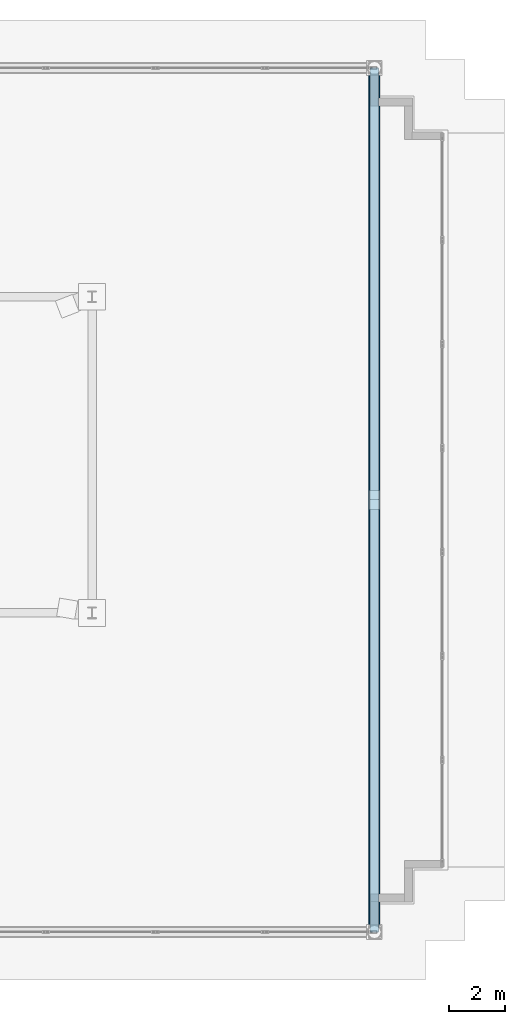
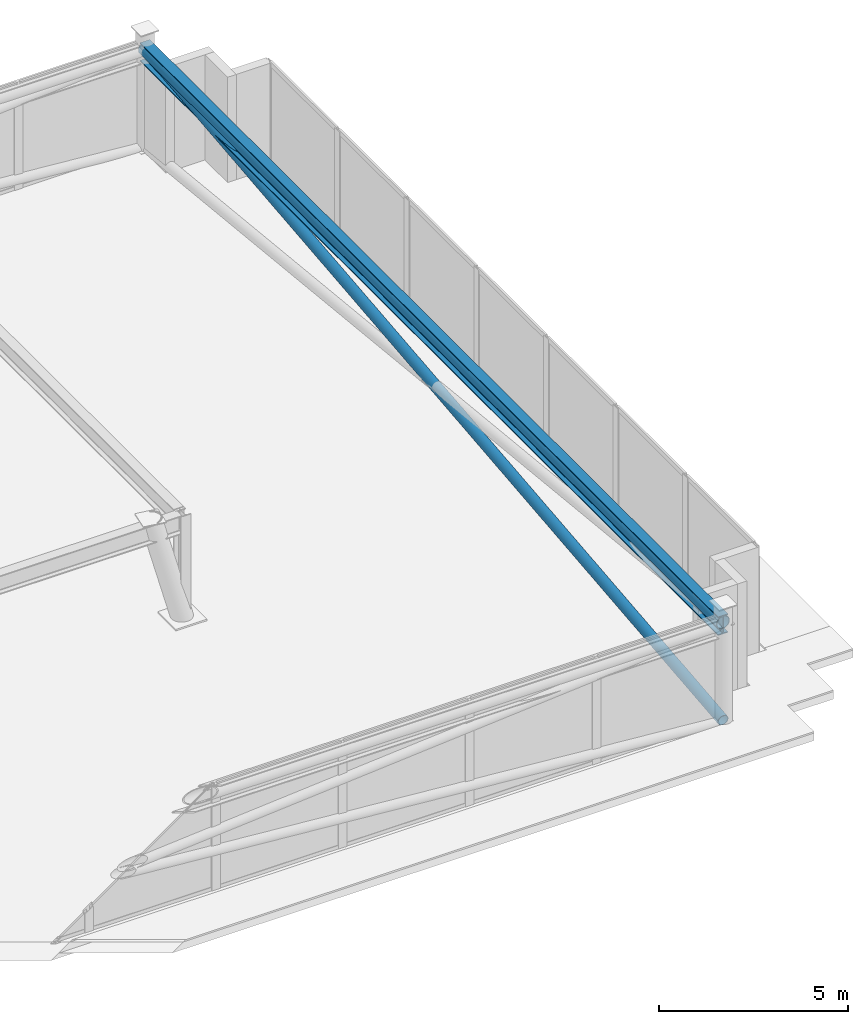
# One storey, part 16 of 23: 2 members, 1 beam.
"""IFC4 building model written with IfcOpenShell, lengths in metres."""

from ifc_helpers import new_model, si_unit, direction, frame, origin, origin_2d, place, context, subcontext, project, spatial, hollow_circle, i_section, extrude, material, material_profile, profile_set, type_object, element, save


model = new_model("IFC4")

# Units and contexts
model_context = context("Model", 3, precision=1e-05, world=origin(), true_north=direction((0.0, 1.0)))
body_context = subcontext(model_context, "Body", "Model", "MODEL_VIEW")
ifc_project = project(units=[si_unit("LENGTHUNIT", "METRE"), si_unit("AREAUNIT", "SQUARE_METRE"), si_unit("VOLUMEUNIT", "CUBIC_METRE"), si_unit("PLANEANGLEUNIT", "RADIAN"), si_unit("MASSUNIT", "GRAM", prefix="KILO")], contexts=[model_context])

# Site, building, storey
site_placement = place(None, origin())
site = spatial("IfcSite", under=ifc_project, at=site_placement, CompositionType="ELEMENT")
building_placement = place(site_placement, origin())
building = spatial("IfcBuilding", under=site, at=building_placement, Name="Qobustan Lattice House", CompositionType="ELEMENT")
storey_placement = place(building_placement, frame((0.0, 0.0, 270.199951171875)))
storey = spatial("IfcBuildingStorey", under=building, at=storey_placement, Name="L76", CompositionType="ELEMENT", Elevation=270.199951171875)

# Beam
ifc_material_1 = material(Name="Steel S355", Category="steel")
ifc_material_profile_1 = material_profile(ifc_material_1, i_section(OverallWidth=0.300048828125, OverallDepth=0.60009765625, WebThickness=0.015380859375, FlangeThickness=0.030029296875, FilletRadius=0.027099609375, at=origin_2d()), Name="HEB600")
ifc_profile_set_1 = profile_set([ifc_material_profile_1], Name="Steel S355")
beam_type = type_object("IfcBeamType", Name="BM-POD-HEB600", PredefinedType="USERDEFINED", material=ifc_profile_set_1)
beam_placement = place(storey_placement, frame((19.199951171875, -16.89990234375, 3.10009765625), z_axis=(0.0, 1.0, 0.0), x_axis=(-1.0, 0.0, 0.0)))
element("IfcBeam", 1, at=beam_placement, inside=storey, type_object=beam_type, Name="L76 crown perimeter ring beam 2", ObjectType="GIRDER", PredefinedType="USERDEFINED", context=body_context, shape_type="SweptSolid", body=[
    extrude(i_section(OverallWidth=0.300048828125, OverallDepth=0.60009765625, WebThickness=0.015380859375, FlangeThickness=0.030029296875, FilletRadius=0.027099609375, at=origin_2d()), origin(), (0.0, 0.0, 1.0), 30.599853515625),
])

# Members
ifc_material_2 = material(Name="Steel S355", Category="steel")
ifc_material_profile_2 = material_profile(ifc_material_2, hollow_circle(Radius=0.161865234375, WallThickness=0.012451171875, at=origin_2d()), Name="CHS323.9x12.5")
ifc_profile_set_2 = profile_set([ifc_material_profile_2], Name="Steel S355")
member_type_1 = type_object("IfcMemberType", Name="MEM-CBR-CHS324", PredefinedType="BRACE", material=ifc_profile_set_2)
member_1_placement = place(storey_placement, frame((19.199951171875, -16.89990234375, 0.01513671875), z_axis=(0.0, 0.994694146404, 0.102876406965), x_axis=(-1.0, 0.0, 0.0)))
element("IfcMember", 2, at=member_1_placement, inside=storey, type_object=member_type_1, Name="L76 crown diagrid continuous brace 2A", PredefinedType="BRACE", context=body_context, shape_type="SweptSolid", body=[
    extrude(hollow_circle(Radius=0.161865234375, WallThickness=0.012451171875, at=origin_2d()), origin(), (0.0, 0.0, 1.0), 30.76318359375),
])
ifc_material_3 = material(Name="Steel S355", Category="steel")
ifc_material_profile_3 = material_profile(ifc_material_3, hollow_circle(Radius=0.203125, WallThickness=0.01611328125, at=origin_2d()), Name="CHS406.4x16")
ifc_profile_set_3 = profile_set([ifc_material_profile_3], Name="Steel S355")
member_type_2 = type_object("IfcMemberType", Name="MEM-RNG-CHS406", PredefinedType="CHORD", material=ifc_profile_set_3)
member_2_placement = place(storey_placement, frame((19.199951171875, -16.89990234375, 3.179931640625), z_axis=(0.0, 1.0, 0.0), x_axis=(-1.0, 0.0, 0.0)))
element("IfcMember", 3, at=member_2_placement, inside=storey, type_object=member_type_2, Name="L76 crown ring chord 2", PredefinedType="CHORD", context=body_context, shape_type="SweptSolid", body=[
    extrude(hollow_circle(Radius=0.203125, WallThickness=0.01611328125, at=origin_2d()), origin(), (0.0, 0.0, 1.0), 30.599853515625),
])

save(model, "model.ifc")
